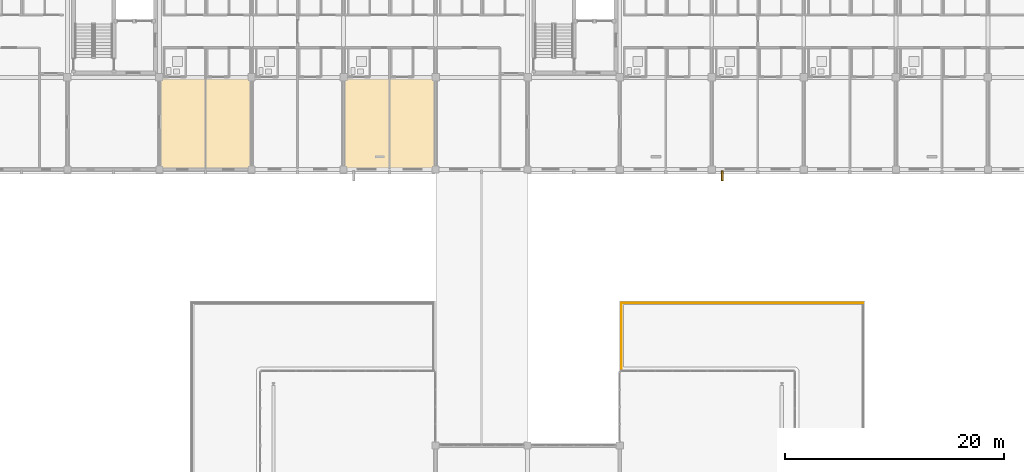
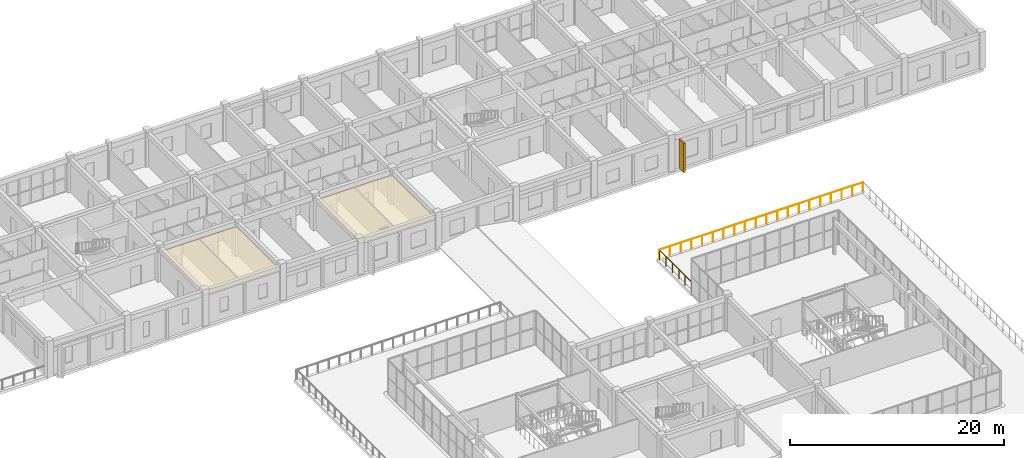
# One storey, part 87 of 90: 2 coverings, 2 railings, 1 shading device.
"""IFC4 building model written with IfcOpenShell, lengths in metres."""

from ifc_helpers import new_model, si_unit, direction, frame, origin, origin_2d, place, context, subcontext, project, spatial, polyline, rectangle, circle, outline, extrude, material, layer, layer_set, type_object, element, save


model = new_model("IFC4")

# Units and contexts
model_context = context("Model", 3, precision=1e-05, world=origin(), true_north=direction((0.0, 1.0)))
body_context = subcontext(model_context, "Body", "Model", "MODEL_VIEW")
ifc_project = project(units=[si_unit("LENGTHUNIT", "METRE"), si_unit("AREAUNIT", "SQUARE_METRE"), si_unit("VOLUMEUNIT", "CUBIC_METRE"), si_unit("PLANEANGLEUNIT", "RADIAN"), si_unit("MASSUNIT", "GRAM", prefix="KILO")], contexts=[model_context])

# Site, building, storey
site_placement = place(None, origin())
site = spatial("IfcSite", under=ifc_project, at=site_placement, CompositionType="ELEMENT")
building_placement = place(site_placement, origin())
building = spatial("IfcBuilding", under=site, at=building_placement, Name="Trelvath General Hospital", CompositionType="ELEMENT")
storey_placement = place(building_placement, frame((0.0, 0.0, 20.39990234375)))
storey = spatial("IfcBuildingStorey", under=building, at=storey_placement, Name="L05", CompositionType="ELEMENT", Elevation=20.39990234375)

# Shading device
ifc_material_1 = material(Name="Precast concrete C40/50", Category="concrete")
shading_device_type = type_object("IfcShadingDeviceType", Name="BriseSoleil PrecastFin900", PredefinedType="JALOUSIE", material=ifc_material_1)
shading_device_placement = place(storey_placement, frame((101.74072265625, 91.81005859375, 0.0), z_axis=(0.0, 0.0, 1.0), x_axis=(0.0, -1.0, 0.0)))
element("IfcShadingDevice", 1, at=shading_device_placement, inside=storey, type_object=shading_device_type, Name="Solar Brise-Soleil Screen L05-88", PredefinedType="JALOUSIE", context=body_context, shape_type="SweptSolid", body=[
    extrude(rectangle(XDim=0.89990234375, YDim=0.179931640625, at=origin_2d()), origin(), (0.0, 0.0, 1.0), 3.340087890625),
])

# Coverings
ifc_material_2 = material(Name="Hygienic acoustic ceiling tile")
ifc_layer = layer(ifc_material_2, 0.02490234375)
ifc_layer_set = layer_set([ifc_layer], Name="Hygienic acoustic ceiling tile")
covering_type = type_object("IfcCoveringType", Name="Ceiling ClinicalAcoustic", PredefinedType="CEILING", material=ifc_layer_set)
covering_1_placement = place(storey_placement, frame((0.0, 0.0, 3.2001953125)))
element("IfcCovering", 2, at=covering_1_placement, inside=storey, type_object=covering_type, Name="Clinical Acoustic Ceiling L05-67", PredefinedType="CEILING", context=body_context, shape_type="SweptSolid", body=[
    extrude(outline(polyline([(50.5, 92.5), (58.699951171875, 92.5), (58.699951171875, 100.719970703125), (50.5, 100.719970703125), (50.5, 92.5)])), origin(), (0.0, 0.0, 1.0), 0.02490234375),
])
covering_2_placement = place(storey_placement, frame((0.0, 0.0, 3.2001953125)))
element("IfcCovering", 3, at=covering_2_placement, inside=storey, type_object=covering_type, Name="Clinical Acoustic Ceiling L05-68", PredefinedType="CEILING", context=body_context, shape_type="SweptSolid", body=[
    extrude(outline(polyline([(67.300048828125, 92.5), (75.5, 92.5), (75.5, 100.719970703125), (67.300048828125, 100.719970703125), (67.300048828125, 92.5)])), origin(), (0.0, 0.0, 1.0), 0.02490234375),
])

# Railings
ifc_material_3 = material(Name="Architectural painted steel", Category="steel")
railing_type = type_object("IfcRailingType", Name="Guardrail Terrace1150", PredefinedType="GUARDRAIL", material=ifc_material_3)
railing_1_placement = place(storey_placement, frame((92.580078125, 80.219970703125, 0.0)))
element("IfcRailing", 4, at=railing_1_placement, inside=storey, type_object=railing_type, Name="Cube Terrace Guardrail TERR-CE-U5 3 36", PredefinedType="GUARDRAIL", context=body_context, shape_type="SweptSolid", body=[
    extrude(circle(Radius=0.02392578125, at=origin_2d()), frame((0.0, 0.0, 1.1259765625), z_axis=(1.0, 0.0, 0.0), x_axis=(0.0, 1.0, 0.0)), (0.0, 0.0, 1.0), 22.0400390625),
    extrude(circle(Radius=0.02099609375, at=origin_2d()), origin(), (0.0, 0.0, 1.0), 1.099853515625),
    extrude(circle(Radius=0.02099609375, at=origin_2d()), frame((1.159912109375, 0.0, 0.0)), (0.0, 0.0, 1.0), 1.099853515625),
    extrude(circle(Radius=0.02099609375, at=origin_2d()), frame((2.320068359375, 0.0, 0.0)), (0.0, 0.0, 1.0), 1.099853515625),
    extrude(circle(Radius=0.02099609375, at=origin_2d()), frame((3.47998046875, 0.0, 0.0)), (0.0, 0.0, 1.0), 1.099853515625),
    extrude(circle(Radius=0.02099609375, at=origin_2d()), frame((4.639892578125, 0.0, 0.0)), (0.0, 0.0, 1.0), 1.099853515625),
    extrude(circle(Radius=0.02099609375, at=origin_2d()), frame((5.800048828125, 0.0, 0.0)), (0.0, 0.0, 1.0), 1.099853515625),
    extrude(circle(Radius=0.02099609375, at=origin_2d()), frame((6.9599609375, 0.0, 0.0)), (0.0, 0.0, 1.0), 1.099853515625),
    extrude(circle(Radius=0.02099609375, at=origin_2d()), frame((8.1201171875, 0.0, 0.0)), (0.0, 0.0, 1.0), 1.099853515625),
    extrude(circle(Radius=0.02099609375, at=origin_2d()), frame((9.280029296875, 0.0, 0.0)), (0.0, 0.0, 1.0), 1.099853515625),
    extrude(circle(Radius=0.02099609375, at=origin_2d()), frame((10.43994140625, 0.0, 0.0)), (0.0, 0.0, 1.0), 1.099853515625),
    extrude(circle(Radius=0.02099609375, at=origin_2d()), frame((11.60009765625, 0.0, 0.0)), (0.0, 0.0, 1.0), 1.099853515625),
    extrude(circle(Radius=0.02099609375, at=origin_2d()), frame((12.760009765625, 0.0, 0.0)), (0.0, 0.0, 1.0), 1.099853515625),
    extrude(circle(Radius=0.02099609375, at=origin_2d()), frame((13.919921875, 0.0, 0.0)), (0.0, 0.0, 1.0), 1.099853515625),
    extrude(circle(Radius=0.02099609375, at=origin_2d()), frame((15.080078125, 0.0, 0.0)), (0.0, 0.0, 1.0), 1.099853515625),
    extrude(circle(Radius=0.02099609375, at=origin_2d()), frame((16.239990234375, 0.0, 0.0)), (0.0, 0.0, 1.0), 1.099853515625),
    extrude(circle(Radius=0.02099609375, at=origin_2d()), frame((17.400146484375, 0.0, 0.0)), (0.0, 0.0, 1.0), 1.099853515625),
    extrude(circle(Radius=0.02099609375, at=origin_2d()), frame((18.56005859375, 0.0, 0.0)), (0.0, 0.0, 1.0), 1.099853515625),
    extrude(circle(Radius=0.02099609375, at=origin_2d()), frame((19.719970703125, 0.0, 0.0)), (0.0, 0.0, 1.0), 1.099853515625),
    extrude(circle(Radius=0.02099609375, at=origin_2d()), frame((20.880126953125, 0.0, 0.0)), (0.0, 0.0, 1.0), 1.099853515625),
    extrude(circle(Radius=0.02099609375, at=origin_2d()), frame((22.0400390625, 0.0, 0.0)), (0.0, 0.0, 1.0), 1.099853515625),
])
railing_2_placement = place(storey_placement, frame((92.580078125, 74.179931640625, 0.0)))
element("IfcRailing", 5, at=railing_2_placement, inside=storey, type_object=railing_type, Name="Cube Terrace Guardrail TERR-CE-U5 5 38", PredefinedType="GUARDRAIL", context=body_context, shape_type="SweptSolid", body=[
    extrude(circle(Radius=0.02392578125, at=origin_2d()), frame((0.0, 0.0, 1.1259765625), z_axis=(0.0, 1.0, 0.0), x_axis=(-1.0, 0.0, 0.0)), (0.0, 0.0, 1.0), 5.97998046875),
    extrude(circle(Radius=0.02099609375, at=origin_2d()), origin(), (0.0, 0.0, 1.0), 1.099853515625),
    extrude(circle(Radius=0.02099609375, at=origin_2d()), frame((0.0, 1.196044921875, 0.0)), (0.0, 0.0, 1.0), 1.099853515625),
    extrude(circle(Radius=0.02099609375, at=origin_2d()), frame((0.0, 2.39208984375, 0.0)), (0.0, 0.0, 1.0), 1.099853515625),
    extrude(circle(Radius=0.02099609375, at=origin_2d()), frame((0.0, 3.587890625, 0.0)), (0.0, 0.0, 1.0), 1.099853515625),
    extrude(circle(Radius=0.02099609375, at=origin_2d()), frame((0.0, 4.783935546875, 0.0)), (0.0, 0.0, 1.0), 1.099853515625),
    extrude(circle(Radius=0.02099609375, at=origin_2d()), frame((0.0, 5.97998046875, 0.0)), (0.0, 0.0, 1.0), 1.099853515625),
])

save(model, "model.ifc")
